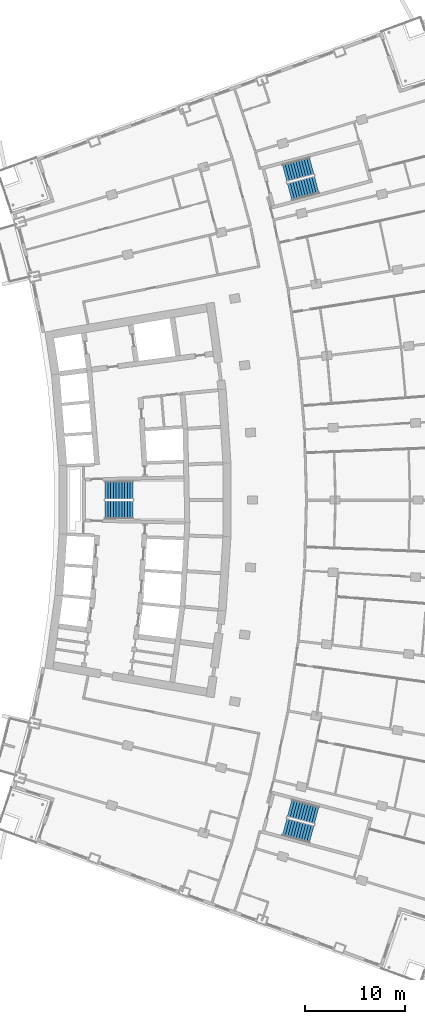
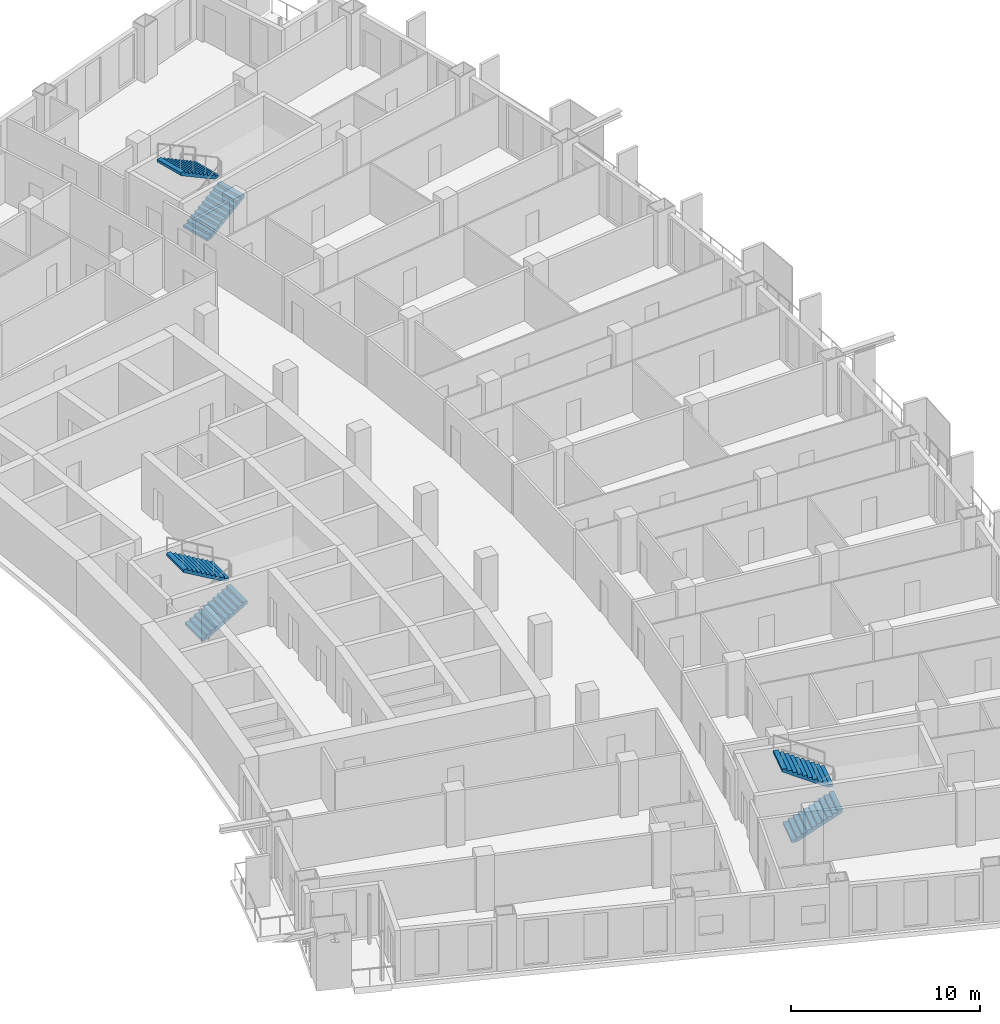
# One storey, part 22 of 25: 6 stair flights, 3 elements without a shape of their own.
"""IFC4 building model written with IfcOpenShell, lengths in metres."""

from ifc_helpers import new_model, si_unit, direction, frame, origin, place, context, subcontext, project, spatial, polyline, outline, extrude, material, layer, layer_set, type_object, element, aggregate, save


model = new_model("IFC4")

# Units and contexts
model_context = context("Model", 3, precision=1e-05, world=origin(), true_north=direction((0.0, 1.0)))
body_context = subcontext(model_context, "Body", "Model", "MODEL_VIEW")
ifc_project = project(units=[si_unit("LENGTHUNIT", "METRE"), si_unit("AREAUNIT", "SQUARE_METRE"), si_unit("VOLUMEUNIT", "CUBIC_METRE"), si_unit("PLANEANGLEUNIT", "RADIAN"), si_unit("MASSUNIT", "GRAM", prefix="KILO")], contexts=[model_context])

# Site, building, storey
site_placement = place(None, origin())
site = spatial("IfcSite", under=ifc_project, at=site_placement, CompositionType="ELEMENT")
building_placement = place(site_placement, origin())
building = spatial("IfcBuilding", under=site, at=building_placement, Name="Alderwake Tower", CompositionType="ELEMENT")
storey_placement = place(building_placement, frame((0.0, 0.0, 122.0)))
storey = spatial("IfcBuildingStorey", under=building, at=storey_placement, Name="L30", CompositionType="ELEMENT", Elevation=122.0)

# Stair, stair flights
ifc_material_1 = material(Name="Concrete C40/50", Category="concrete")
stair_type = type_object("IfcStairType", Name="Core exit stair", PredefinedType="HALF_TURN_STAIR", material=ifc_material_1)
stair_1_placement = place(storey_placement, origin())
stair_1 = element("IfcStair", 1, at=stair_1_placement, inside=storey, type_object=stair_type, Name="L30 Exit Stair B", PredefinedType="HALF_TURN_STAIR")
ifc_material_2 = material(Name="Concrete C40/50", Category="concrete")
ifc_layer = layer(ifc_material_2, 0.14990234375)
ifc_layer_set = layer_set([ifc_layer], Name="Core stair flight")
stair_flight_type = type_object("IfcStairFlightType", Name="Core stair flight", PredefinedType="STRAIGHT", material=ifc_layer_set)
stair_flight_1_placement = place(storey_placement, frame((21.0400390625, 60.02490234375, 0.0), z_axis=(0.0, 0.0, 1.0), x_axis=(1.0, 0.0, 0.0)))
stair_flight_1 = element("IfcStairFlight", 2, at=stair_flight_1_placement, type_object=stair_flight_type, Name="ST-B flight 1", NumberOfRisers=11, NumberOfTreads=10, PredefinedType="STRAIGHT", RiserHeight=0.163636364, TreadLength=0.28, context=body_context, shape_type="SweptSolid", body=[
    extrude(outline(polyline([(0.0, 0.0), (0.0, 0.16357421875), (0.280029296875, 0.16357421875), (0.280029296875, 0.327392578125), (0.56005859375, 0.327392578125), (0.56005859375, 0.490966796875), (0.840087890625, 0.490966796875), (0.840087890625, 0.654541015625), (1.1201171875, 0.654541015625), (1.1201171875, 0.818115234375), (1.39990234375, 0.818115234375), (1.39990234375, 0.98193359375), (1.679931640625, 0.98193359375), (1.679931640625, 1.1455078125), (1.9599609375, 1.1455078125), (1.9599609375, 1.30908203125), (2.239990234375, 1.30908203125), (2.239990234375, 1.47265625), (2.52001953125, 1.47265625), (2.52001953125, 1.636474609375), (2.800048828125, 1.636474609375), (2.800048828125, 1.800048828125), (2.800048828125, 1.462646484375), (0.297119140625, 0.0), (0.0, 0.0)])), frame((0.0, 0.89990234375, 0.0), z_axis=(0.0, -1.0, 0.0), x_axis=(1.0, 0.0, 0.0)), (0.0, 0.0, 1.0), 1.800048828125),
])
stair_flight_2_placement = place(storey_placement, frame((23.840087890625, 61.97509765625, 1.800048828125), z_axis=(0.0, 0.0, 1.0), x_axis=(-1.0, 0.0, 0.0)))
stair_flight_2 = element("IfcStairFlight", 3, at=stair_flight_2_placement, type_object=stair_flight_type, Name="ST-B flight 2", NumberOfRisers=11, NumberOfTreads=10, PredefinedType="STRAIGHT", RiserHeight=0.163636364, TreadLength=0.28, context=body_context, shape_type="SweptSolid", body=[
    extrude(outline(polyline([(0.0, 0.0), (0.0, 0.16357421875), (0.280029296875, 0.16357421875), (0.280029296875, 0.327392578125), (0.56005859375, 0.327392578125), (0.56005859375, 0.490966796875), (0.840087890625, 0.490966796875), (0.840087890625, 0.654541015625), (1.1201171875, 0.654541015625), (1.1201171875, 0.818115234375), (1.39990234375, 0.818115234375), (1.39990234375, 0.98193359375), (1.679931640625, 0.98193359375), (1.679931640625, 1.1455078125), (1.9599609375, 1.1455078125), (1.9599609375, 1.30908203125), (2.239990234375, 1.30908203125), (2.239990234375, 1.47265625), (2.52001953125, 1.47265625), (2.52001953125, 1.636474609375), (2.800048828125, 1.636474609375), (2.800048828125, 1.800048828125), (2.800048828125, 1.462646484375), (0.297119140625, 0.0), (0.0, 0.0)])), frame((0.0, 0.89990234375, 0.0), z_axis=(0.0, -1.0, 0.0), x_axis=(1.0, 0.0, 0.0)), (0.0, 0.0, 1.0), 1.800048828125),
])
aggregate(stair_1, [stair_flight_1, stair_flight_2])

stair_2_placement = place(storey_placement, origin())
stair_2 = element("IfcStair", 4, at=stair_2_placement, inside=storey, type_object=stair_type, Name="L30 Exit Stair A", PredefinedType="HALF_TURN_STAIR")
stair_flight_3_placement = place(storey_placement, frame((39.512939453125, 91.823974609375, 0.0), z_axis=(0.0, 0.0, 1.0), x_axis=(0.966309627437, 0.257382407951, 0.0)))
stair_flight_3 = element("IfcStairFlight", 5, at=stair_flight_3_placement, type_object=stair_flight_type, Name="ST-A flight 1", NumberOfRisers=11, NumberOfTreads=10, PredefinedType="STRAIGHT", RiserHeight=0.163636364, TreadLength=0.28, context=body_context, shape_type="SweptSolid", body=[
    extrude(outline(polyline([(0.0, 0.0), (0.0, 0.16357421875), (0.280029296875, 0.16357421875), (0.280029296875, 0.327392578125), (0.56005859375, 0.327392578125), (0.56005859375, 0.490966796875), (0.840087890625, 0.490966796875), (0.840087890625, 0.654541015625), (1.1201171875, 0.654541015625), (1.1201171875, 0.818115234375), (1.39990234375, 0.818115234375), (1.39990234375, 0.98193359375), (1.679931640625, 0.98193359375), (1.679931640625, 1.1455078125), (1.9599609375, 1.1455078125), (1.9599609375, 1.30908203125), (2.239990234375, 1.30908203125), (2.239990234375, 1.47265625), (2.52001953125, 1.47265625), (2.52001953125, 1.636474609375), (2.800048828125, 1.636474609375), (2.800048828125, 1.800048828125), (2.800048828125, 1.462646484375), (0.297119140625, 0.0), (0.0, 0.0)])), frame((0.0, 0.89990234375, 0.0), z_axis=(0.0, -1.0, 0.0), x_axis=(1.0, 0.0, 0.0)), (0.0, 0.0, 1.0), 1.800048828125),
])
stair_flight_4_placement = place(storey_placement, frame((41.716796875, 94.428955078125, 1.800048828125), z_axis=(0.0, 0.0, 1.0), x_axis=(-0.966309627437, -0.257382407951, 0.0)))
stair_flight_4 = element("IfcStairFlight", 6, at=stair_flight_4_placement, type_object=stair_flight_type, Name="ST-A flight 2", NumberOfRisers=11, NumberOfTreads=10, PredefinedType="STRAIGHT", RiserHeight=0.163636364, TreadLength=0.28, context=body_context, shape_type="SweptSolid", body=[
    extrude(outline(polyline([(0.0, 0.0), (0.0, 0.16357421875), (0.280029296875, 0.16357421875), (0.280029296875, 0.327392578125), (0.56005859375, 0.327392578125), (0.56005859375, 0.490966796875), (0.840087890625, 0.490966796875), (0.840087890625, 0.654541015625), (1.1201171875, 0.654541015625), (1.1201171875, 0.818115234375), (1.39990234375, 0.818115234375), (1.39990234375, 0.98193359375), (1.679931640625, 0.98193359375), (1.679931640625, 1.1455078125), (1.9599609375, 1.1455078125), (1.9599609375, 1.30908203125), (2.239990234375, 1.30908203125), (2.239990234375, 1.47265625), (2.52001953125, 1.47265625), (2.52001953125, 1.636474609375), (2.800048828125, 1.636474609375), (2.800048828125, 1.800048828125), (2.800048828125, 1.462646484375), (0.297119140625, 0.0), (0.0, 0.0)])), frame((0.0, 0.89990234375, 0.0), z_axis=(0.0, -1.0, 0.0), x_axis=(1.0, 0.0, 0.0)), (0.0, 0.0, 1.0), 1.800048828125),
])
aggregate(stair_2, [stair_flight_3, stair_flight_4])

stair_3_placement = place(storey_placement, origin())
stair_3 = element("IfcStair", 7, at=stair_3_placement, inside=storey, type_object=stair_type, Name="L30 Exit Stair C", PredefinedType="HALF_TURN_STAIR")
stair_flight_5_placement = place(storey_placement, frame((39.010986328125, 28.291748046875, 0.0), z_axis=(0.0, 0.0, 1.0), x_axis=(0.966309627437, -0.257382407951, 0.0)))
stair_flight_5 = element("IfcStairFlight", 8, at=stair_flight_5_placement, type_object=stair_flight_type, Name="ST-C flight 1", NumberOfRisers=11, NumberOfTreads=10, PredefinedType="STRAIGHT", RiserHeight=0.163636364, TreadLength=0.28, context=body_context, shape_type="SweptSolid", body=[
    extrude(outline(polyline([(0.0, 0.0), (0.0, 0.16357421875), (0.280029296875, 0.16357421875), (0.280029296875, 0.327392578125), (0.56005859375, 0.327392578125), (0.56005859375, 0.490966796875), (0.840087890625, 0.490966796875), (0.840087890625, 0.654541015625), (1.1201171875, 0.654541015625), (1.1201171875, 0.818115234375), (1.39990234375, 0.818115234375), (1.39990234375, 0.98193359375), (1.679931640625, 0.98193359375), (1.679931640625, 1.1455078125), (1.9599609375, 1.1455078125), (1.9599609375, 1.30908203125), (2.239990234375, 1.30908203125), (2.239990234375, 1.47265625), (2.52001953125, 1.47265625), (2.52001953125, 1.636474609375), (2.800048828125, 1.636474609375), (2.800048828125, 1.800048828125), (2.800048828125, 1.462646484375), (0.297119140625, 0.0), (0.0, 0.0)])), frame((0.0, 0.89990234375, 0.0), z_axis=(0.0, -1.0, 0.0), x_axis=(1.0, 0.0, 0.0)), (0.0, 0.0, 1.0), 1.800048828125),
])
stair_flight_6_placement = place(storey_placement, frame((42.218505859375, 29.455322265625, 1.800048828125), z_axis=(0.0, 0.0, 1.0), x_axis=(-0.966309627437, 0.257382407951, 0.0)))
stair_flight_6 = element("IfcStairFlight", 9, at=stair_flight_6_placement, type_object=stair_flight_type, Name="ST-C flight 2", NumberOfRisers=11, NumberOfTreads=10, PredefinedType="STRAIGHT", RiserHeight=0.163636364, TreadLength=0.28, context=body_context, shape_type="SweptSolid", body=[
    extrude(outline(polyline([(0.0, 0.0), (0.0, 0.16357421875), (0.280029296875, 0.16357421875), (0.280029296875, 0.327392578125), (0.56005859375, 0.327392578125), (0.56005859375, 0.490966796875), (0.840087890625, 0.490966796875), (0.840087890625, 0.654541015625), (1.1201171875, 0.654541015625), (1.1201171875, 0.818115234375), (1.39990234375, 0.818115234375), (1.39990234375, 0.98193359375), (1.679931640625, 0.98193359375), (1.679931640625, 1.1455078125), (1.9599609375, 1.1455078125), (1.9599609375, 1.30908203125), (2.239990234375, 1.30908203125), (2.239990234375, 1.47265625), (2.52001953125, 1.47265625), (2.52001953125, 1.636474609375), (2.800048828125, 1.636474609375), (2.800048828125, 1.800048828125), (2.800048828125, 1.462646484375), (0.297119140625, 0.0), (0.0, 0.0)])), frame((0.0, 0.89990234375, 0.0), z_axis=(0.0, -1.0, 0.0), x_axis=(1.0, 0.0, 0.0)), (0.0, 0.0, 1.0), 1.800048828125),
])
aggregate(stair_3, [stair_flight_5, stair_flight_6])

save(model, "model.ifc")
